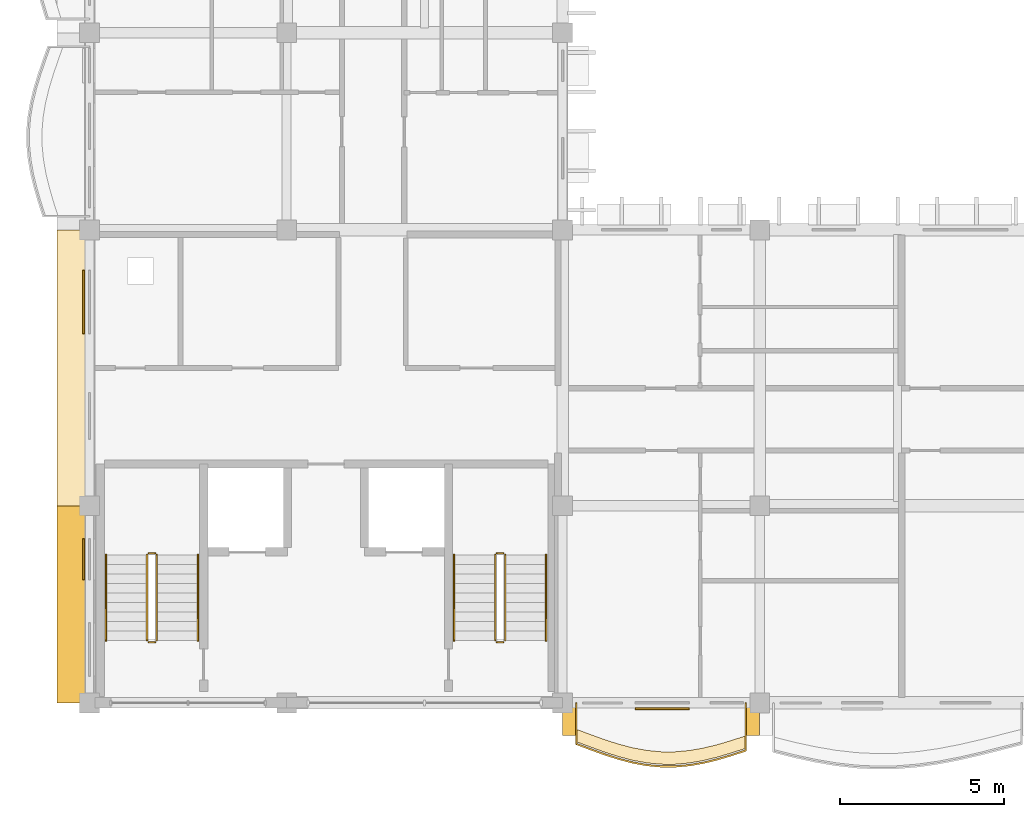
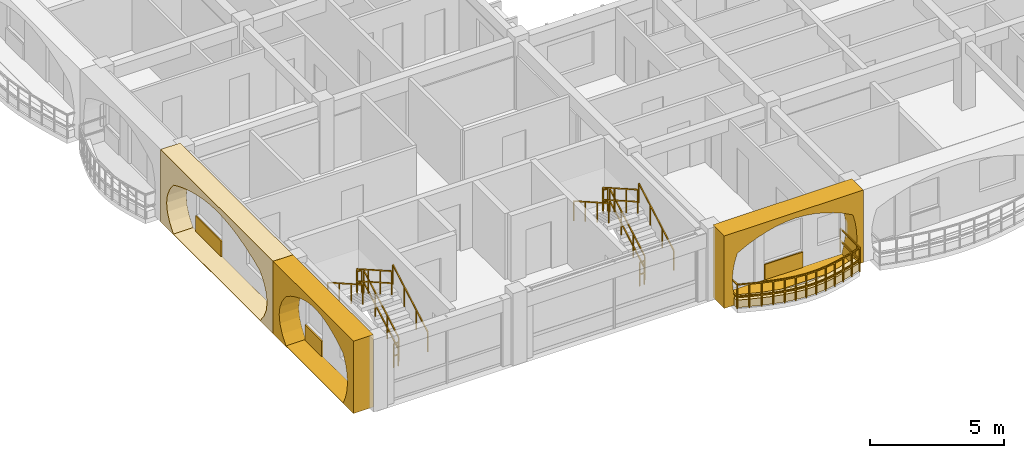
# One storey, part 41 of 70: 13 railings, 7 coverings.
"""IFC4 building model written with IfcOpenShell, lengths in metres."""

from ifc_helpers import new_model, si_unit, direction, frame, origin, origin_2d, place, context, subcontext, project, spatial, polyline, rectangle, outline, extrude, material, layer, layer_set, type_object, element, save


model = new_model("IFC4")

# Units and contexts
model_context = context("Model", 3, precision=1e-05, world=origin(), true_north=direction((0.0, 1.0)))
body_context = subcontext(model_context, "Body", "Model", "MODEL_VIEW")
ifc_project = project(units=[si_unit("LENGTHUNIT", "METRE"), si_unit("AREAUNIT", "SQUARE_METRE"), si_unit("VOLUMEUNIT", "CUBIC_METRE"), si_unit("PLANEANGLEUNIT", "RADIAN"), si_unit("MASSUNIT", "GRAM", prefix="KILO"), si_unit("THERMODYNAMICTEMPERATUREUNIT", "KELVIN")], contexts=[model_context])

# Site, building, storey
site_placement = place(None, origin())
site = spatial("IfcSite", under=ifc_project, at=site_placement, CompositionType="ELEMENT")
building_placement = place(site_placement, origin())
building = spatial("IfcBuilding", under=site, at=building_placement, Name="Thalorik Housing Commons", CompositionType="ELEMENT")
storey_placement = place(building_placement, frame((0.0, 0.0, 14.699951171875)))
storey = spatial("IfcBuildingStorey", under=building, at=storey_placement, Name="L04", CompositionType="ELEMENT", Elevation=14.699951171875)

# Coverings
ifc_material_1 = material(Name="Cobalt blue glazed ceramic facade tile panel", Category="masonry")
ifc_layer_1 = layer(ifc_material_1, 0.06005859375, Name="Cobalt blue glazed ceramic facade tile panel", Category="masonry")
ifc_layer_set_1 = layer_set([ifc_layer_1], Name="Cobalt blue glazed ceramic facade tile panel")
covering_type_1 = type_object("IfcCoveringType", Name="ARC-CLD-BLU-60", PredefinedType="CLADDING", material=ifc_layer_set_1)
covering_1_placement = place(storey_placement, frame((8.219970703125, 12.77001953125, 0.05029296875), z_axis=(0.0, 0.0, 1.0), x_axis=(0.0, -1.0, 0.0)))
element("IfcCovering", 1, at=covering_1_placement, inside=storey, type_object=covering_type_1, Name="L04 De Stijl Recessed Window Spandrel 3845", PredefinedType="CLADDING", context=body_context, shape_type="SweptSolid", body=[
    extrude(rectangle(XDim=1.25, YDim=0.06005859375, at=origin_2d()), origin(), (0.0, 0.0, 1.0), 0.699951171875),
])
covering_2_placement = place(storey_placement, frame((25.830078125, 8.219970703125, 0.05029296875), z_axis=(0.0, 0.0, 1.0), x_axis=(1.0, 0.0, 0.0)))
element("IfcCovering", 2, at=covering_2_placement, inside=storey, type_object=covering_type_1, Name="L04 De Stijl Recessed Window Spandrel 3847", PredefinedType="CLADDING", context=body_context, shape_type="SweptSolid", body=[
    extrude(rectangle(XDim=1.64990234375, YDim=0.06005859375, at=origin_2d()), origin(), (0.0, 0.0, 1.0), 0.699951171875),
])
ifc_material_2 = material(Name="Precast concrete C40/50", Category="concrete")
ifc_layer_2 = layer(ifc_material_2, 0.85009765625, Name="Precast concrete C40/50", Category="concrete")
ifc_layer_set_2 = layer_set([ifc_layer_2], Name="Precast concrete C40/50")
covering_type_2 = type_object("IfcCoveringType", Name="ARC-CLD-CUSH-850", PredefinedType="CLADDING", material=ifc_layer_set_2)
covering_3_placement = place(storey_placement, frame((7.830078125, 18.60009765625, 0.0), z_axis=(0.0, 0.0, 1.0), x_axis=(0.0, -1.0, 0.0)))
element("IfcCovering", 3, at=covering_3_placement, inside=storey, type_object=covering_type_2, Name="L04 White Precast Curved Cushion Bay Frame 3842", PredefinedType="CLADDING", context=body_context, shape_type="SweptSolid", body=[
    extrude(outline(polyline([(-4.199951171875, 0.0), (4.199951171875, 0.0), (4.199951171875, 3.300048828125), (-4.199951171875, 3.300048828125), (-4.199951171875, 0.0)]), holes=[polyline([(3.239990234375, 0.02490234375), (3.523193359375, 0.3974609375), (3.693359375, 0.77001953125), (3.75, 1.142578125), (3.693359375, 1.514892578125), (3.523193359375, 1.887451171875), (3.239990234375, 2.260009765625), (2.699951171875, 2.497314453125), (2.159912109375, 2.683837890625), (1.6201171875, 2.8349609375), (1.080078125, 2.947265625), (0.5400390625, 3.0166015625), (0.0, 3.0400390625), (-0.5400390625, 3.0166015625), (-1.080078125, 2.947265625), (-1.6201171875, 2.8349609375), (-2.159912109375, 2.683837890625), (-2.699951171875, 2.497314453125), (-3.239990234375, 2.260009765625), (-3.523193359375, 1.887451171875), (-3.693359375, 1.514892578125), (-3.75, 1.142578125), (-3.693359375, 0.77001953125), (-3.523193359375, 0.3974609375), (-3.239990234375, 0.02490234375), (3.239990234375, 0.02490234375)])]), frame((0.0, 0.425048828125, 0.0), z_axis=(0.0, -1.0, 0.0), x_axis=(1.0, 0.0, 0.0)), (0.0, 0.0, 1.0), 0.85009765625),
])
covering_4_placement = place(storey_placement, frame((7.830078125, 11.39990234375, 0.0), z_axis=(0.0, 0.0, 1.0), x_axis=(0.0, -1.0, 0.0)))
element("IfcCovering", 4, at=covering_4_placement, inside=storey, type_object=covering_type_2, Name="L04 White Precast Curved Cushion Bay Frame 3844", PredefinedType="CLADDING", context=body_context, shape_type="SweptSolid", body=[
    extrude(outline(polyline([(-3.0, 0.0), (3.0, 0.0), (3.0, 3.300048828125), (-3.0, 3.300048828125), (-3.0, 0.0)]), holes=[polyline([(2.22998046875, 0.02490234375), (2.40771484375, 0.399169921875), (2.514404296875, 0.773193359375), (2.550048828125, 1.1474609375), (2.514404296875, 1.521728515625), (2.40771484375, 1.895751953125), (2.22998046875, 2.27001953125), (1.873779296875, 2.50439453125), (1.517578125, 2.6884765625), (1.1611328125, 2.837646484375), (0.804931640625, 2.948486328125), (0.44873046875, 3.016845703125), (0.092529296875, 3.0400390625), (-0.263916015625, 3.016845703125), (-0.6201171875, 2.948486328125), (-0.976318359375, 2.837646484375), (-1.33251953125, 2.6884765625), (-1.688720703125, 2.50439453125), (-2.044921875, 2.27001953125), (-2.32568359375, 1.895751953125), (-2.493896484375, 1.521728515625), (-2.550048828125, 1.1474609375), (-2.493896484375, 0.773193359375), (-2.32568359375, 0.399169921875), (-2.044921875, 0.02490234375), (2.22998046875, 0.02490234375)])]), frame((0.0, 0.425048828125, 0.0), z_axis=(0.0, -1.0, 0.0), x_axis=(1.0, 0.0, 0.0)), (0.0, 0.0, 1.0), 0.85009765625),
])
covering_5_placement = place(storey_placement, frame((25.800048828125, 7.830078125, 0.0), z_axis=(0.0, 0.0, 1.0), x_axis=(1.0, 0.0, 0.0)))
element("IfcCovering", 5, at=covering_5_placement, inside=storey, type_object=covering_type_2, Name="L04 White Precast Curved Cushion Bay Frame 3846", PredefinedType="CLADDING", context=body_context, shape_type="SweptSolid", body=[
    extrude(outline(polyline([(-3.0, 0.0), (3.0, 0.0), (3.0, 3.300048828125), (-3.0, 3.300048828125), (-3.0, 0.0)]), holes=[polyline([(2.550048828125, 0.02490234375), (2.64501953125, 0.407470703125), (2.701904296875, 0.7900390625), (2.720947265625, 1.172607421875), (2.701904296875, 1.554931640625), (2.64501953125, 1.9375), (2.550048828125, 2.320068359375), (2.135009765625, 2.539306640625), (1.719970703125, 2.711181640625), (1.304931640625, 2.8505859375), (0.889892578125, 2.954345703125), (0.47509765625, 3.018310546875), (0.06005859375, 3.0400390625), (-0.35498046875, 3.018310546875), (-0.77001953125, 2.954345703125), (-1.18505859375, 2.8505859375), (-1.60009765625, 2.711181640625), (-2.014892578125, 2.539306640625), (-2.429931640625, 2.320068359375), (-2.55029296875, 1.9375), (-2.62255859375, 1.554931640625), (-2.646484375, 1.172607421875), (-2.62255859375, 0.7900390625), (-2.55029296875, 0.407470703125), (-2.429931640625, 0.02490234375), (2.550048828125, 0.02490234375)])]), frame((0.0, 0.425048828125, 0.0), z_axis=(0.0, -1.0, 0.0), x_axis=(1.0, 0.0, 0.0)), (0.0, 0.0, 1.0), 0.85009765625),
])
ifc_material_3 = material(Name="Terracotta red mineral fibre-cement panel", Category="masonry")
ifc_layer_3 = layer(ifc_material_3, 0.054931640625, Name="Terracotta red mineral fibre-cement panel", Category="masonry")
ifc_layer_set_3 = layer_set([ifc_layer_3], Name="Terracotta red mineral fibre-cement panel")
covering_type_3 = type_object("IfcCoveringType", Name="ARC-CLD-RED-55", PredefinedType="CLADDING", material=ifc_layer_set_3)
covering_6_placement = place(storey_placement, frame((8.222412109375, 20.60498046875, 0.05029296875), z_axis=(0.0, 0.0, 1.0), x_axis=(0.0, -1.0, 0.0)))
element("IfcCovering", 6, at=covering_6_placement, inside=storey, type_object=covering_type_3, Name="L04 De Stijl Recessed Window Spandrel 3843", PredefinedType="CLADDING", context=body_context, shape_type="SweptSolid", body=[
    extrude(rectangle(XDim=1.919921875, YDim=0.054931640625, at=origin_2d()), origin(), (0.0, 0.0, 1.0), 0.699951171875),
])
ifc_material_4 = material(Name="Planted vegetated substrate and terracotta trough", Category="masonry")
ifc_layer_4 = layer(ifc_material_4, 0.340087890625, Name="Planted vegetated substrate and terracotta trough", Category="masonry")
ifc_layer_set_4 = layer_set([ifc_layer_4], Name="Planted vegetated substrate and terracotta trough")
covering_type_4 = type_object("IfcCoveringType", Name="ARC-COV-PLANTER", PredefinedType="USERDEFINED", material=ifc_layer_set_4)
covering_7_placement = place(storey_placement, origin())
element("IfcCovering", 7, at=covering_7_placement, inside=storey, type_object=covering_type_4, Name="L04 Balcony Slab-Edge Planted Trough 5592", ObjectType="PLANTER", PredefinedType="USERDEFINED", context=body_context, shape_type="SweptSolid", body=[
    extrude(outline(polyline([(23.219970703125, 7.2197265625), (23.64990234375, 7.05810546875), (24.080078125, 6.9033203125), (24.510009765625, 6.765380859375), (24.93994140625, 6.65380859375), (25.3701171875, 6.5751953125), (25.800048828125, 6.534423828125), (26.22998046875, 6.5341796875), (26.659912109375, 6.572998046875), (27.090087890625, 6.648193359375), (27.52001953125, 6.75341796875), (27.949951171875, 6.880859375), (28.3798828125, 7.021484375), (28.3798828125, 7.4013671875), (27.949951171875, 7.260986328125), (27.52001953125, 7.13330078125), (27.090087890625, 7.028076171875), (26.659912109375, 6.953125), (26.22998046875, 6.9140625), (25.800048828125, 6.91455078125), (25.3701171875, 6.955078125), (24.93994140625, 7.03369140625), (24.510009765625, 7.1455078125), (24.080078125, 7.283203125), (23.64990234375, 7.438232421875), (23.219970703125, 7.599853515625), (23.219970703125, 7.2197265625)])), origin(), (0.0, 0.0, 1.0), 0.340087890625),
])

# Railings
ifc_material_5 = material(Name="Steel S355", Category="steel")
railing_type_1 = type_object("IfcRailingType", Name="ARC-RL-BAL-112", PredefinedType="BALUSTRADE", material=ifc_material_5)
railing_1_placement = place(storey_placement, frame((23.219970703125, 8.39990234375, 0.0)))
element("IfcRailing", 8, at=railing_1_placement, inside=storey, type_object=railing_type_1, Name="L04 Cushion Balcony Guardrail 276", PredefinedType="BALUSTRADE", context=body_context, shape_type="SweptSolid", body=[
    extrude(rectangle(XDim=0.050048828125, YDim=0.050048828125, at=origin_2d()), frame((0.0, 0.0, 1.09521484375), z_axis=(0.0, -1.0, 0.0), x_axis=(1.0, 0.0, 0.0)), (0.0, 0.0, 1.0), 1.25),
    extrude(rectangle(XDim=0.050048828125, YDim=0.050048828125, at=origin_2d()), frame((0.0, 0.0, 0.53515625), z_axis=(0.0, -1.0, 0.0), x_axis=(1.0, 0.0, 0.0)), (0.0, 0.0, 1.0), 1.25),
    extrude(rectangle(XDim=0.050048828125, YDim=0.050048828125, at=origin_2d()), frame((0.0, -1.25, 1.09521484375), z_axis=(0.936044897025, -0.351880591613, 0.0), x_axis=(0.351880591613, 0.936044897025, 0.0)), (0.0, 0.0, 1.0), 0.459228515625),
    extrude(rectangle(XDim=0.050048828125, YDim=0.050048828125, at=origin_2d()), frame((0.0, -1.25, 0.53515625), z_axis=(0.936044897025, -0.351880591613, 0.0), x_axis=(0.351880591613, 0.936044897025, 0.0)), (0.0, 0.0, 1.0), 0.459228515625),
    extrude(rectangle(XDim=0.050048828125, YDim=0.050048828125, at=origin_2d()), frame((0.429931640625, -1.41162109375, 1.09521484375), z_axis=(0.940771648528, -0.339040860849, 0.0), x_axis=(0.339040860849, 0.940771648528, 0.0)), (0.0, 0.0, 1.0), 0.457275390625),
    extrude(rectangle(XDim=0.050048828125, YDim=0.050048828125, at=origin_2d()), frame((0.429931640625, -1.41162109375, 0.53515625), z_axis=(0.940771648528, -0.339040860849, 0.0), x_axis=(0.339040860849, 0.940771648528, 0.0)), (0.0, 0.0, 1.0), 0.457275390625),
    extrude(rectangle(XDim=0.050048828125, YDim=0.050048828125, at=origin_2d()), frame((0.860107421875, -1.566650390625, 1.09521484375), z_axis=(0.95219157684, -0.305501556453, 0.0), x_axis=(0.305501556453, 0.95219157684, 0.0)), (0.0, 0.0, 1.0), 0.451416015625),
    extrude(rectangle(XDim=0.050048828125, YDim=0.050048828125, at=origin_2d()), frame((0.860107421875, -1.566650390625, 0.53515625), z_axis=(0.95219157684, -0.305501556453, 0.0), x_axis=(0.305501556453, 0.95219157684, 0.0)), (0.0, 0.0, 1.0), 0.451416015625),
    extrude(rectangle(XDim=0.050048828125, YDim=0.050048828125, at=origin_2d()), frame((1.2900390625, -1.70458984375, 1.09521484375), z_axis=(0.967937525619, -0.251191055768, 0.0), x_axis=(0.251191055768, 0.967937525619, 0.0)), (0.0, 0.0, 1.0), 0.444091796875),
    extrude(rectangle(XDim=0.050048828125, YDim=0.050048828125, at=origin_2d()), frame((1.2900390625, -1.70458984375, 0.53515625), z_axis=(0.967937525619, -0.251191055768, 0.0), x_axis=(0.251191055768, 0.967937525619, 0.0)), (0.0, 0.0, 1.0), 0.444091796875),
    extrude(rectangle(XDim=0.050048828125, YDim=0.050048828125, at=origin_2d()), frame((1.719970703125, -1.816162109375, 1.09521484375), z_axis=(0.983708724862, -0.179769698868, 0.0), x_axis=(0.179769698868, 0.983708724862, 0.0)), (0.0, 0.0, 1.0), 0.437255859375),
    extrude(rectangle(XDim=0.050048828125, YDim=0.050048828125, at=origin_2d()), frame((1.719970703125, -1.816162109375, 0.53515625), z_axis=(0.983708724862, -0.179769698868, 0.0), x_axis=(0.179769698868, 0.983708724862, 0.0)), (0.0, 0.0, 1.0), 0.437255859375),
    extrude(rectangle(XDim=0.050048828125, YDim=0.050048828125, at=origin_2d()), frame((2.150146484375, -1.894775390625, 1.09521484375), z_axis=(0.995586482092, -0.093848583775, 0.0), x_axis=(0.093848583775, 0.995586482092, 0.0)), (0.0, 0.0, 1.0), 0.431884765625),
    extrude(rectangle(XDim=0.050048828125, YDim=0.050048828125, at=origin_2d()), frame((2.150146484375, -1.894775390625, 0.53515625), z_axis=(0.995586482092, -0.093848583775, 0.0), x_axis=(0.093848583775, 0.995586482092, 0.0)), (0.0, 0.0, 1.0), 0.431884765625),
    extrude(rectangle(XDim=0.050048828125, YDim=0.050048828125, at=origin_2d()), frame((2.580078125, -1.935302734375, 1.09521484375), z_axis=(0.999999355073, -0.001135717609, 0.0), x_axis=(0.001135717609, 0.999999355073, 0.0)), (0.0, 0.0, 1.0), 0.429931640625),
    extrude(rectangle(XDim=0.050048828125, YDim=0.050048828125, at=origin_2d()), frame((2.580078125, -1.935302734375, 0.53515625), z_axis=(0.999999355073, -0.001135717609, 0.0), x_axis=(0.001135717609, 0.999999355073, 0.0)), (0.0, 0.0, 1.0), 0.429931640625),
    extrude(rectangle(XDim=0.050048828125, YDim=0.050048828125, at=origin_2d()), frame((3.010009765625, -1.935791015625, 1.09521484375), z_axis=(0.995897840652, 0.090484755539, 0.0), x_axis=(-0.090484755539, 0.995897840652, 0.0)), (0.0, 0.0, 1.0), 0.431640625),
    extrude(rectangle(XDim=0.050048828125, YDim=0.050048828125, at=origin_2d()), frame((3.010009765625, -1.935791015625, 0.53515625), z_axis=(0.995897840652, 0.090484755539, 0.0), x_axis=(-0.090484755539, 0.995897840652, 0.0)), (0.0, 0.0, 1.0), 0.431640625),
    extrude(rectangle(XDim=0.050048828125, YDim=0.050048828125, at=origin_2d()), frame((3.43994140625, -1.896728515625, 1.09521484375), z_axis=(0.985158360438, 0.171647909566, 0.0), x_axis=(-0.171647909566, 0.985158360438, 0.0)), (0.0, 0.0, 1.0), 0.436767578125),
    extrude(rectangle(XDim=0.050048828125, YDim=0.050048828125, at=origin_2d()), frame((3.43994140625, -1.896728515625, 0.53515625), z_axis=(0.985158360438, 0.171647909566, 0.0), x_axis=(-0.171647909566, 0.985158360438, 0.0)), (0.0, 0.0, 1.0), 0.436767578125),
    extrude(rectangle(XDim=0.050048828125, YDim=0.050048828125, at=origin_2d()), frame((3.8701171875, -1.82177734375, 1.09521484375), z_axis=(0.971331111788, 0.237730669609, 0.0), x_axis=(-0.237730669609, 0.971331111788, 0.0)), (0.0, 0.0, 1.0), 0.442626953125),
    extrude(rectangle(XDim=0.050048828125, YDim=0.050048828125, at=origin_2d()), frame((3.8701171875, -1.82177734375, 0.53515625), z_axis=(0.971331111788, 0.237730669609, 0.0), x_axis=(-0.237730669609, 0.971331111788, 0.0)), (0.0, 0.0, 1.0), 0.442626953125),
    extrude(rectangle(XDim=0.050048828125, YDim=0.050048828125, at=origin_2d()), frame((4.300048828125, -1.716552734375, 1.09521484375), z_axis=(0.958765151286, 0.284199550807, 0.0), x_axis=(-0.284199550807, 0.958765151286, 0.0)), (0.0, 0.0, 1.0), 0.448486328125),
    extrude(rectangle(XDim=0.050048828125, YDim=0.050048828125, at=origin_2d()), frame((4.300048828125, -1.716552734375, 0.53515625), z_axis=(0.958765151286, 0.284199550807, 0.0), x_axis=(-0.284199550807, 0.958765151286, 0.0)), (0.0, 0.0, 1.0), 0.448486328125),
    extrude(rectangle(XDim=0.050048828125, YDim=0.050048828125, at=origin_2d()), frame((4.72998046875, -1.589111328125, 1.09521484375), z_axis=(0.950449331157, 0.310879508658, 0.0), x_axis=(-0.310879508658, 0.950449331157, 0.0)), (0.0, 0.0, 1.0), 0.452392578125),
    extrude(rectangle(XDim=0.050048828125, YDim=0.050048828125, at=origin_2d()), frame((4.72998046875, -1.589111328125, 0.53515625), z_axis=(0.950449331157, 0.310879508658, 0.0), x_axis=(-0.310879508658, 0.950449331157, 0.0)), (0.0, 0.0, 1.0), 0.452392578125),
    extrude(rectangle(XDim=0.050048828125, YDim=0.050048828125, at=origin_2d()), frame((5.159912109375, -1.448486328125, 1.09521484375), z_axis=(0.0, 1.0, 0.0), x_axis=(-1.0, 0.0, 0.0)), (0.0, 0.0, 1.0), 1.448486328125),
    extrude(rectangle(XDim=0.050048828125, YDim=0.050048828125, at=origin_2d()), frame((5.159912109375, -1.448486328125, 0.53515625), z_axis=(0.0, 1.0, 0.0), x_axis=(-1.0, 0.0, 0.0)), (0.0, 0.0, 1.0), 1.448486328125),
    extrude(rectangle(XDim=0.0419921875, YDim=0.0419921875, at=origin_2d()), origin(), (0.0, 0.0, 1.0), 1.070068359375),
    extrude(rectangle(XDim=0.0419921875, YDim=0.0419921875, at=origin_2d()), frame((0.0, -1.25, 0.0)), (0.0, 0.0, 1.0), 1.070068359375),
    extrude(rectangle(XDim=0.0419921875, YDim=0.0419921875, at=origin_2d()), frame((0.429931640625, -1.41162109375, 0.0)), (0.0, 0.0, 1.0), 1.070068359375),
    extrude(rectangle(XDim=0.0419921875, YDim=0.0419921875, at=origin_2d()), frame((0.860107421875, -1.566650390625, 0.0)), (0.0, 0.0, 1.0), 1.070068359375),
    extrude(rectangle(XDim=0.0419921875, YDim=0.0419921875, at=origin_2d()), frame((1.2900390625, -1.70458984375, 0.0)), (0.0, 0.0, 1.0), 1.070068359375),
    extrude(rectangle(XDim=0.0419921875, YDim=0.0419921875, at=origin_2d()), frame((1.719970703125, -1.816162109375, 0.0)), (0.0, 0.0, 1.0), 1.070068359375),
    extrude(rectangle(XDim=0.0419921875, YDim=0.0419921875, at=origin_2d()), frame((2.150146484375, -1.894775390625, 0.0)), (0.0, 0.0, 1.0), 1.070068359375),
    extrude(rectangle(XDim=0.0419921875, YDim=0.0419921875, at=origin_2d()), frame((2.580078125, -1.935302734375, 0.0)), (0.0, 0.0, 1.0), 1.070068359375),
    extrude(rectangle(XDim=0.0419921875, YDim=0.0419921875, at=origin_2d()), frame((3.010009765625, -1.935791015625, 0.0)), (0.0, 0.0, 1.0), 1.070068359375),
    extrude(rectangle(XDim=0.0419921875, YDim=0.0419921875, at=origin_2d()), frame((3.43994140625, -1.896728515625, 0.0)), (0.0, 0.0, 1.0), 1.070068359375),
    extrude(rectangle(XDim=0.0419921875, YDim=0.0419921875, at=origin_2d()), frame((3.8701171875, -1.82177734375, 0.0)), (0.0, 0.0, 1.0), 1.070068359375),
    extrude(rectangle(XDim=0.0419921875, YDim=0.0419921875, at=origin_2d()), frame((4.300048828125, -1.716552734375, 0.0)), (0.0, 0.0, 1.0), 1.070068359375),
    extrude(rectangle(XDim=0.0419921875, YDim=0.0419921875, at=origin_2d()), frame((4.72998046875, -1.589111328125, 0.0)), (0.0, 0.0, 1.0), 1.070068359375),
    extrude(rectangle(XDim=0.0419921875, YDim=0.0419921875, at=origin_2d()), frame((5.159912109375, -1.448486328125, 0.0)), (0.0, 0.0, 1.0), 1.070068359375),
    extrude(rectangle(XDim=0.0419921875, YDim=0.0419921875, at=origin_2d()), frame((5.159912109375, 0.0, 0.0)), (0.0, 0.0, 1.0), 1.070068359375),
])
railing_type_2 = type_object("IfcRailingType", Name="ARC-RL-STR-GRD110", PredefinedType="GUARDRAIL", material=ifc_material_5)
railing_2_placement = place(storey_placement, frame((10.449951171875, 10.300048828125, 0.1650390625)))
element("IfcRailing", 9, at=railing_2_placement, inside=storey, type_object=railing_type_2, Name="L04 ST-C1 stair guard 1", PredefinedType="GUARDRAIL", context=body_context, shape_type="SweptSolid", body=[
    extrude(rectangle(XDim=0.048095703125, YDim=0.048095703125, at=origin_2d()), frame((0.0, 0.0, 1.076171875), z_axis=(0.0, 0.869137319866, 0.494570843475), x_axis=(-1.0, 0.0, 0.0)), (0.0, 0.0, 1.0), 3.0029296875),
    extrude(rectangle(XDim=0.048095703125, YDim=0.048095703125, at=origin_2d()), frame((0.0, 0.0, 0.52587890625), z_axis=(0.0, 0.869137319866, 0.494570843475), x_axis=(-1.0, 0.0, 0.0)), (0.0, 0.0, 1.0), 3.0029296875),
    extrude(rectangle(XDim=0.0419921875, YDim=0.0419921875, at=origin_2d()), origin(), (0.0, 0.0, 1.0), 1.052001953125),
    extrude(rectangle(XDim=0.0419921875, YDim=0.0419921875, at=origin_2d()), frame((0.0, 0.869873046875, 0.4951171875)), (0.0, 0.0, 1.0), 1.052001953125),
    extrude(rectangle(XDim=0.0419921875, YDim=0.0419921875, at=origin_2d()), frame((0.0, 1.739990234375, 0.989990234375)), (0.0, 0.0, 1.0), 1.052001953125),
    extrude(rectangle(XDim=0.0419921875, YDim=0.0419921875, at=origin_2d()), frame((0.0, 2.60986328125, 1.485107421875)), (0.0, 0.0, 1.0), 1.052001953125),
])
railing_3_placement = place(storey_placement, frame((10.39990234375, 12.9599609375, 1.650146484375)))
element("IfcRailing", 10, at=railing_3_placement, inside=storey, type_object=railing_type_2, Name="L04 ST-C1 stair guard 2", PredefinedType="GUARDRAIL", context=body_context, shape_type="SweptSolid", body=[
    extrude(rectangle(XDim=0.048095703125, YDim=0.048095703125, at=origin_2d()), frame((0.0, 0.0, 1.076171875), z_axis=(-1.0, 0.0, 0.0), x_axis=(0.0, -1.0, 0.0)), (0.0, 0.0, 1.0), 0.199951171875),
    extrude(rectangle(XDim=0.048095703125, YDim=0.048095703125, at=origin_2d()), frame((0.0, 0.0, 0.52587890625), z_axis=(-1.0, 0.0, 0.0), x_axis=(0.0, -1.0, 0.0)), (0.0, 0.0, 1.0), 0.199951171875),
    extrude(rectangle(XDim=0.0419921875, YDim=0.0419921875, at=origin_2d()), origin(), (0.0, 0.0, 1.0), 1.052001953125),
    extrude(rectangle(XDim=0.0419921875, YDim=0.0419921875, at=origin_2d()), frame((-0.199951171875, 0.0, 0.0)), (0.0, 0.0, 1.0), 1.052001953125),
])
railing_4_placement = place(storey_placement, frame((10.14990234375, 12.909912109375, 1.81494140625)))
element("IfcRailing", 11, at=railing_4_placement, inside=storey, type_object=railing_type_2, Name="L04 ST-C1 stair guard 3", PredefinedType="GUARDRAIL", context=body_context, shape_type="SweptSolid", body=[
    extrude(rectangle(XDim=0.048095703125, YDim=0.048095703125, at=origin_2d()), frame((0.0, 0.0, 1.076171875), z_axis=(0.0, -0.869137319866, 0.494570843475), x_axis=(1.0, 0.0, 0.0)), (0.0, 0.0, 1.0), 3.0029296875),
    extrude(rectangle(XDim=0.048095703125, YDim=0.048095703125, at=origin_2d()), frame((0.0, 0.0, 0.52587890625), z_axis=(0.0, -0.869137319866, 0.494570843475), x_axis=(1.0, 0.0, 0.0)), (0.0, 0.0, 1.0), 3.0029296875),
    extrude(rectangle(XDim=0.0419921875, YDim=0.0419921875, at=origin_2d()), origin(), (0.0, 0.0, 1.0), 1.052001953125),
    extrude(rectangle(XDim=0.0419921875, YDim=0.0419921875, at=origin_2d()), frame((0.0, -0.869873046875, 0.4951171875)), (0.0, 0.0, 1.0), 1.052001953125),
    extrude(rectangle(XDim=0.0419921875, YDim=0.0419921875, at=origin_2d()), frame((0.0, -1.739990234375, 0.989990234375)), (0.0, 0.0, 1.0), 1.052001953125),
    extrude(rectangle(XDim=0.0419921875, YDim=0.0419921875, at=origin_2d()), frame((0.0, -2.60986328125, 1.485107421875)), (0.0, 0.0, 1.0), 1.052001953125),
])
railing_5_placement = place(storey_placement, frame((10.39990234375, 10.25, 0.0)))
element("IfcRailing", 12, at=railing_5_placement, inside=storey, type_object=railing_type_2, Name="L04 ST-C1 stair guard 4", PredefinedType="GUARDRAIL", context=body_context, shape_type="SweptSolid", body=[
    extrude(rectangle(XDim=0.048095703125, YDim=0.048095703125, at=origin_2d()), frame((0.0, 0.0, 1.076171875), z_axis=(-1.0, 0.0, 0.0), x_axis=(0.0, -1.0, 0.0)), (0.0, 0.0, 1.0), 0.199951171875),
    extrude(rectangle(XDim=0.048095703125, YDim=0.048095703125, at=origin_2d()), frame((0.0, 0.0, 0.52587890625), z_axis=(-1.0, 0.0, 0.0), x_axis=(0.0, -1.0, 0.0)), (0.0, 0.0, 1.0), 0.199951171875),
    extrude(rectangle(XDim=0.0419921875, YDim=0.0419921875, at=origin_2d()), origin(), (0.0, 0.0, 1.0), 1.052001953125),
    extrude(rectangle(XDim=0.0419921875, YDim=0.0419921875, at=origin_2d()), frame((-0.199951171875, 0.0, 0.0)), (0.0, 0.0, 1.0), 1.052001953125),
])
railing_6_placement = place(storey_placement, frame((21.050048828125, 10.300048828125, 0.1650390625)))
element("IfcRailing", 13, at=railing_6_placement, inside=storey, type_object=railing_type_2, Name="L04 ST-C2 stair guard 1", PredefinedType="GUARDRAIL", context=body_context, shape_type="SweptSolid", body=[
    extrude(rectangle(XDim=0.048095703125, YDim=0.048095703125, at=origin_2d()), frame((0.0, 0.0, 1.076171875), z_axis=(0.0, 0.869137319866, 0.494570843475), x_axis=(-1.0, 0.0, 0.0)), (0.0, 0.0, 1.0), 3.0029296875),
    extrude(rectangle(XDim=0.048095703125, YDim=0.048095703125, at=origin_2d()), frame((0.0, 0.0, 0.52587890625), z_axis=(0.0, 0.869137319866, 0.494570843475), x_axis=(-1.0, 0.0, 0.0)), (0.0, 0.0, 1.0), 3.0029296875),
    extrude(rectangle(XDim=0.0419921875, YDim=0.0419921875, at=origin_2d()), origin(), (0.0, 0.0, 1.0), 1.052001953125),
    extrude(rectangle(XDim=0.0419921875, YDim=0.0419921875, at=origin_2d()), frame((0.0, 0.869873046875, 0.4951171875)), (0.0, 0.0, 1.0), 1.052001953125),
    extrude(rectangle(XDim=0.0419921875, YDim=0.0419921875, at=origin_2d()), frame((0.0, 1.739990234375, 0.989990234375)), (0.0, 0.0, 1.0), 1.052001953125),
    extrude(rectangle(XDim=0.0419921875, YDim=0.0419921875, at=origin_2d()), frame((0.0, 2.60986328125, 1.485107421875)), (0.0, 0.0, 1.0), 1.052001953125),
])
railing_7_placement = place(storey_placement, frame((21.0, 12.9599609375, 1.650146484375)))
element("IfcRailing", 14, at=railing_7_placement, inside=storey, type_object=railing_type_2, Name="L04 ST-C2 stair guard 2", PredefinedType="GUARDRAIL", context=body_context, shape_type="SweptSolid", body=[
    extrude(rectangle(XDim=0.048095703125, YDim=0.048095703125, at=origin_2d()), frame((0.0, 0.0, 1.076171875), z_axis=(-1.0, 0.0, 0.0), x_axis=(0.0, -1.0, 0.0)), (0.0, 0.0, 1.0), 0.199951171875),
    extrude(rectangle(XDim=0.048095703125, YDim=0.048095703125, at=origin_2d()), frame((0.0, 0.0, 0.52587890625), z_axis=(-1.0, 0.0, 0.0), x_axis=(0.0, -1.0, 0.0)), (0.0, 0.0, 1.0), 0.199951171875),
    extrude(rectangle(XDim=0.0419921875, YDim=0.0419921875, at=origin_2d()), origin(), (0.0, 0.0, 1.0), 1.052001953125),
    extrude(rectangle(XDim=0.0419921875, YDim=0.0419921875, at=origin_2d()), frame((-0.199951171875, 0.0, 0.0)), (0.0, 0.0, 1.0), 1.052001953125),
])
railing_8_placement = place(storey_placement, frame((20.75, 12.909912109375, 1.81494140625)))
element("IfcRailing", 15, at=railing_8_placement, inside=storey, type_object=railing_type_2, Name="L04 ST-C2 stair guard 3", PredefinedType="GUARDRAIL", context=body_context, shape_type="SweptSolid", body=[
    extrude(rectangle(XDim=0.048095703125, YDim=0.048095703125, at=origin_2d()), frame((0.0, 0.0, 1.076171875), z_axis=(0.0, -0.869137319866, 0.494570843475), x_axis=(1.0, 0.0, 0.0)), (0.0, 0.0, 1.0), 3.0029296875),
    extrude(rectangle(XDim=0.048095703125, YDim=0.048095703125, at=origin_2d()), frame((0.0, 0.0, 0.52587890625), z_axis=(0.0, -0.869137319866, 0.494570843475), x_axis=(1.0, 0.0, 0.0)), (0.0, 0.0, 1.0), 3.0029296875),
    extrude(rectangle(XDim=0.0419921875, YDim=0.0419921875, at=origin_2d()), origin(), (0.0, 0.0, 1.0), 1.052001953125),
    extrude(rectangle(XDim=0.0419921875, YDim=0.0419921875, at=origin_2d()), frame((0.0, -0.869873046875, 0.4951171875)), (0.0, 0.0, 1.0), 1.052001953125),
    extrude(rectangle(XDim=0.0419921875, YDim=0.0419921875, at=origin_2d()), frame((0.0, -1.739990234375, 0.989990234375)), (0.0, 0.0, 1.0), 1.052001953125),
    extrude(rectangle(XDim=0.0419921875, YDim=0.0419921875, at=origin_2d()), frame((0.0, -2.60986328125, 1.485107421875)), (0.0, 0.0, 1.0), 1.052001953125),
])
railing_9_placement = place(storey_placement, frame((21.0, 10.25, 0.0)))
element("IfcRailing", 16, at=railing_9_placement, inside=storey, type_object=railing_type_2, Name="L04 ST-C2 stair guard 4", PredefinedType="GUARDRAIL", context=body_context, shape_type="SweptSolid", body=[
    extrude(rectangle(XDim=0.048095703125, YDim=0.048095703125, at=origin_2d()), frame((0.0, 0.0, 1.076171875), z_axis=(-1.0, 0.0, 0.0), x_axis=(0.0, -1.0, 0.0)), (0.0, 0.0, 1.0), 0.199951171875),
    extrude(rectangle(XDim=0.048095703125, YDim=0.048095703125, at=origin_2d()), frame((0.0, 0.0, 0.52587890625), z_axis=(-1.0, 0.0, 0.0), x_axis=(0.0, -1.0, 0.0)), (0.0, 0.0, 1.0), 0.199951171875),
    extrude(rectangle(XDim=0.0419921875, YDim=0.0419921875, at=origin_2d()), origin(), (0.0, 0.0, 1.0), 1.052001953125),
    extrude(rectangle(XDim=0.0419921875, YDim=0.0419921875, at=origin_2d()), frame((-0.199951171875, 0.0, 0.0)), (0.0, 0.0, 1.0), 1.052001953125),
])
railing_type_3 = type_object("IfcRailingType", Name="ARC-RL-STR-HR092", PredefinedType="HANDRAIL", material=ifc_material_5)
railing_10_placement = place(storey_placement, frame((11.699951171875, 10.300048828125, 0.1650390625)))
element("IfcRailing", 17, at=railing_10_placement, inside=storey, type_object=railing_type_3, Name="L04 ST-C1 stair handrail 1", PredefinedType="HANDRAIL", context=body_context, shape_type="SweptSolid", body=[
    extrude(rectangle(XDim=0.048095703125, YDim=0.048095703125, at=origin_2d()), frame((0.0, 0.0, 0.89599609375), z_axis=(0.0, 0.869137319866, 0.494570843475), x_axis=(-1.0, 0.0, 0.0)), (0.0, 0.0, 1.0), 3.0029296875),
    extrude(rectangle(XDim=0.0419921875, YDim=0.0419921875, at=origin_2d()), origin(), (0.0, 0.0, 1.0), 0.871826171875),
    extrude(rectangle(XDim=0.0419921875, YDim=0.0419921875, at=origin_2d()), frame((0.0, 0.869873046875, 0.4951171875)), (0.0, 0.0, 1.0), 0.871826171875),
    extrude(rectangle(XDim=0.0419921875, YDim=0.0419921875, at=origin_2d()), frame((0.0, 1.739990234375, 0.989990234375)), (0.0, 0.0, 1.0), 0.871826171875),
    extrude(rectangle(XDim=0.0419921875, YDim=0.0419921875, at=origin_2d()), frame((0.0, 2.60986328125, 1.485107421875)), (0.0, 0.0, 1.0), 0.871826171875),
])
railing_11_placement = place(storey_placement, frame((8.89990234375, 12.909912109375, 1.81494140625)))
element("IfcRailing", 18, at=railing_11_placement, inside=storey, type_object=railing_type_3, Name="L04 ST-C1 stair handrail 2", PredefinedType="HANDRAIL", context=body_context, shape_type="SweptSolid", body=[
    extrude(rectangle(XDim=0.048095703125, YDim=0.048095703125, at=origin_2d()), frame((0.0, 0.0, 0.89599609375), z_axis=(0.0, -0.869137319866, 0.494570843475), x_axis=(1.0, 0.0, 0.0)), (0.0, 0.0, 1.0), 3.0029296875),
    extrude(rectangle(XDim=0.0419921875, YDim=0.0419921875, at=origin_2d()), origin(), (0.0, 0.0, 1.0), 0.871826171875),
    extrude(rectangle(XDim=0.0419921875, YDim=0.0419921875, at=origin_2d()), frame((0.0, -0.869873046875, 0.4951171875)), (0.0, 0.0, 1.0), 0.871826171875),
    extrude(rectangle(XDim=0.0419921875, YDim=0.0419921875, at=origin_2d()), frame((0.0, -1.739990234375, 0.989990234375)), (0.0, 0.0, 1.0), 0.871826171875),
    extrude(rectangle(XDim=0.0419921875, YDim=0.0419921875, at=origin_2d()), frame((0.0, -2.60986328125, 1.485107421875)), (0.0, 0.0, 1.0), 0.871826171875),
])
railing_12_placement = place(storey_placement, frame((22.300048828125, 10.300048828125, 0.1650390625)))
element("IfcRailing", 19, at=railing_12_placement, inside=storey, type_object=railing_type_3, Name="L04 ST-C2 stair handrail 1", PredefinedType="HANDRAIL", context=body_context, shape_type="SweptSolid", body=[
    extrude(rectangle(XDim=0.048095703125, YDim=0.048095703125, at=origin_2d()), frame((0.0, 0.0, 0.89599609375), z_axis=(0.0, 0.869137319866, 0.494570843475), x_axis=(-1.0, 0.0, 0.0)), (0.0, 0.0, 1.0), 3.0029296875),
    extrude(rectangle(XDim=0.0419921875, YDim=0.0419921875, at=origin_2d()), origin(), (0.0, 0.0, 1.0), 0.871826171875),
    extrude(rectangle(XDim=0.0419921875, YDim=0.0419921875, at=origin_2d()), frame((0.0, 0.869873046875, 0.4951171875)), (0.0, 0.0, 1.0), 0.871826171875),
    extrude(rectangle(XDim=0.0419921875, YDim=0.0419921875, at=origin_2d()), frame((0.0, 1.739990234375, 0.989990234375)), (0.0, 0.0, 1.0), 0.871826171875),
    extrude(rectangle(XDim=0.0419921875, YDim=0.0419921875, at=origin_2d()), frame((0.0, 2.60986328125, 1.485107421875)), (0.0, 0.0, 1.0), 0.871826171875),
])
railing_13_placement = place(storey_placement, frame((19.5, 12.909912109375, 1.81494140625)))
element("IfcRailing", 20, at=railing_13_placement, inside=storey, type_object=railing_type_3, Name="L04 ST-C2 stair handrail 2", PredefinedType="HANDRAIL", context=body_context, shape_type="SweptSolid", body=[
    extrude(rectangle(XDim=0.048095703125, YDim=0.048095703125, at=origin_2d()), frame((0.0, 0.0, 0.89599609375), z_axis=(0.0, -0.869137319866, 0.494570843475), x_axis=(1.0, 0.0, 0.0)), (0.0, 0.0, 1.0), 3.0029296875),
    extrude(rectangle(XDim=0.0419921875, YDim=0.0419921875, at=origin_2d()), origin(), (0.0, 0.0, 1.0), 0.871826171875),
    extrude(rectangle(XDim=0.0419921875, YDim=0.0419921875, at=origin_2d()), frame((0.0, -0.869873046875, 0.4951171875)), (0.0, 0.0, 1.0), 0.871826171875),
    extrude(rectangle(XDim=0.0419921875, YDim=0.0419921875, at=origin_2d()), frame((0.0, -1.739990234375, 0.989990234375)), (0.0, 0.0, 1.0), 0.871826171875),
    extrude(rectangle(XDim=0.0419921875, YDim=0.0419921875, at=origin_2d()), frame((0.0, -2.60986328125, 1.485107421875)), (0.0, 0.0, 1.0), 0.871826171875),
])

save(model, "model.ifc")
